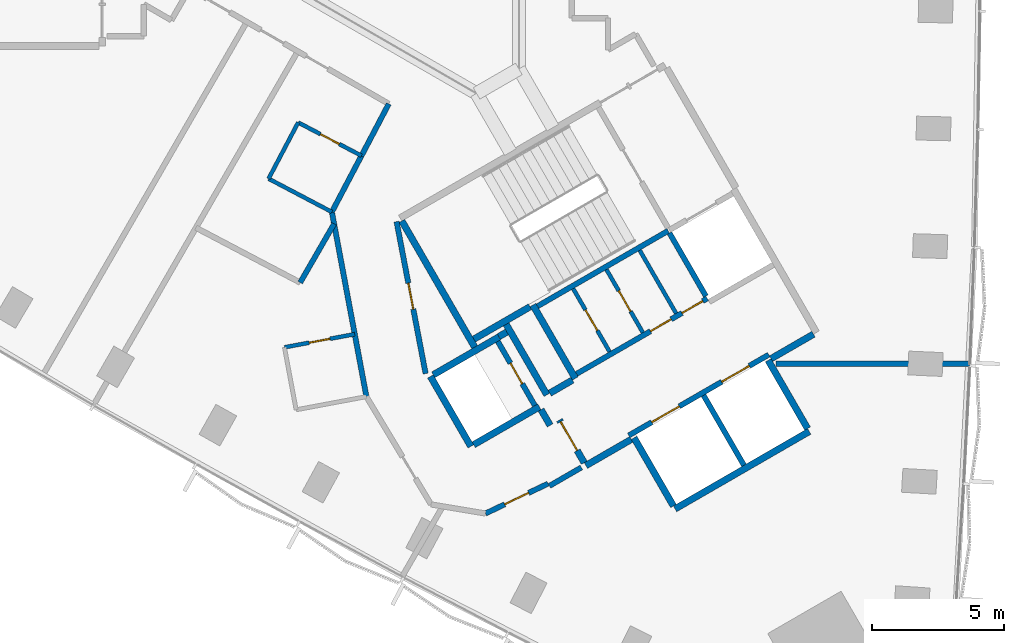
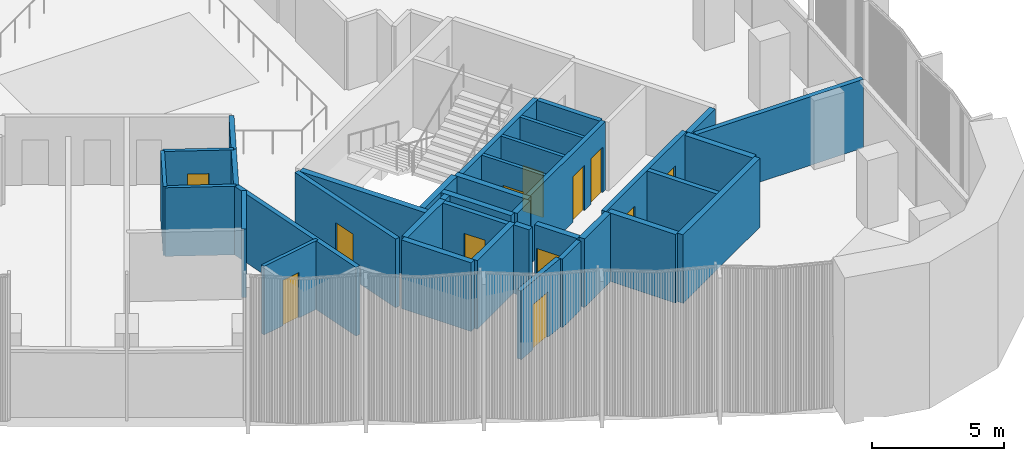
# One storey, part 8 of 15: 37 walls, 12 doors, 12 openings.
"""IFC4 building model written with IfcOpenShell, lengths in metres."""

import ifcopenshell
import ifcopenshell.guid

model = None  # the IFC model being written
_history = None  # IfcOwnerHistory: only IFC2X3 demands one
_inside = {}  # id of a spatial element -> (the spatial element, [elements in it])
_under = {}  # id of a project, library or spatial element -> (it, [spatial elements below it])
_declared = {}  # id of a project -> (the project, [libraries it declares])
_typed = {}  # id of a type object -> (the type object, [elements of that type])
_made_of = {}  # id of a material, layer set ... -> (it, [elements and type objects made of it])


def new_model(schema):
    """Start an empty IFC model of exactly this schema.

    Asked for "IFC4X3", IfcOpenShell would pick the latest addendum, in which some entities
    have other attributes; the version numbers below select the first issue.
    IFC2X3 requires an IfcOwnerHistory on every rooted entity: one is made here for all.
    """
    global model, _history
    if schema == "IFC4X3":
        model = ifcopenshell.file(schema_version=(4, 3, 0, 0))
    else:
        model = ifcopenshell.file(schema=schema)
    _inside.clear()
    _under.clear()
    _declared.clear()
    _typed.clear()
    _made_of.clear()
    _history = None
    if model.schema == "IFC2X3":
        org = make("IfcOrganization", Name="unknown")
        user = make(
            "IfcPersonAndOrganization",
            ThePerson=make("IfcPerson", FamilyName="unknown"),
            TheOrganization=org,
        )
        app = make(
            "IfcApplication",
            ApplicationDeveloper=org,
            Version="unknown",
            ApplicationFullName="unknown",
            ApplicationIdentifier="unknown",
        )
        _history = make(
            "IfcOwnerHistory",
            OwningUser=user,
            OwningApplication=app,
            ChangeAction="ADDED",
            CreationDate=0,
        )
    return model


def make(cls, **values):
    """One entity of the class cls with the attributes given. An attribute that is None is left unset."""
    return model.create_entity(
        cls, **{name: value for name, value in values.items() if value is not None}
    )


def rooted(cls, **values):
    """An entity with a GlobalId (a new one), such as an element, a storey or a relation."""
    return make(cls, GlobalId=ifcopenshell.guid.new(), OwnerHistory=_history, **values)


def si_unit(unit_type, name, prefix=None):
    """IfcSIUnit, for example si_unit("LENGTHUNIT", "METRE", prefix="MILLI")."""
    return make("IfcSIUnit", UnitType=unit_type, Prefix=prefix, Name=name)


def assignment(units):
    """IfcUnitAssignment: the units of a project."""
    return None if units is None else make("IfcUnitAssignment", Units=units)


def point(xyz):
    """IfcCartesianPoint."""
    return None if xyz is None else make("IfcCartesianPoint", Coordinates=xyz)


def direction(xyz):
    """IfcDirection."""
    return None if xyz is None else make("IfcDirection", DirectionRatios=xyz)


def frame(location, z_axis=None, x_axis=None):
    """IfcAxis2Placement3D, a coordinate frame: its origin and axes. An axis left out is left unset."""
    return make(
        "IfcAxis2Placement3D",
        Location=point(location),
        Axis=direction(z_axis),
        RefDirection=direction(x_axis),
    )


def frame_2d(location, x_axis=None):
    """IfcAxis2Placement2D, a coordinate frame in the plane: its origin and x axis."""
    return make(
        "IfcAxis2Placement2D", Location=point(location), RefDirection=direction(x_axis)
    )


def origin():
    """The frame at (0, 0, 0) with its axes left unset."""
    return frame((0.0, 0.0, 0.0))


def place(relative_to, where):
    """IfcLocalPlacement: puts the frame where relative to a parent placement (None: the world)."""
    return make(
        "IfcLocalPlacement", PlacementRelTo=relative_to, RelativePlacement=where
    )


def context(
    kind, dimensions, precision=None, world=None, true_north=None, identifier=None
):
    """IfcGeometricRepresentationContext, for example the 3D "Model" context."""
    return make(
        "IfcGeometricRepresentationContext",
        ContextIdentifier=identifier,
        ContextType=kind,
        CoordinateSpaceDimension=dimensions,
        Precision=precision,
        WorldCoordinateSystem=world,
        TrueNorth=true_north,
    )


def subcontext(parent, identifier, kind, view, scale=None):
    """IfcGeometricRepresentationSubContext, for example "Body" below "Model"."""
    return make(
        "IfcGeometricRepresentationSubContext",
        ContextIdentifier=identifier,
        ContextType=kind,
        ParentContext=parent,
        TargetScale=scale,
        TargetView=view,
    )


def project(units=None, contexts=None):
    """IfcProject with its units and contexts."""
    return rooted(
        "IfcProject",
        Name="project",
        RepresentationContexts=contexts,
        UnitsInContext=assignment(units),
    )


def spatial(cls, under=None, at=None, **own):
    """A site, building, storey or space (cls), placed at a placement, below another one or the project."""
    s = rooted(cls, ObjectPlacement=at, **own)
    if under is not None:
        _under.setdefault(under.id(), (under, []))[1].append(s)
    return s


def profile(cls, at=None, kind="AREA", **sizes):
    """A parametric profile (cls). Its sizes go by their IFC names, for example OverallWidth=200.0."""
    return make(cls, ProfileType=kind, Position=at, **sizes)


def rectangle(**sizes):
    """IfcRectangleProfileDef."""
    return profile("IfcRectangleProfileDef", **sizes)


def extrude(swept, where, along, depth):
    """IfcExtrudedAreaSolid: the profile swept, set in the frame where, extruded along a direction by depth."""
    return make(
        "IfcExtrudedAreaSolid",
        SweptArea=swept,
        Position=where,
        ExtrudedDirection=direction(along),
        Depth=depth,
    )


def shape(context_of_items, identifier, shape_type, items):
    """IfcShapeRepresentation: the items that make up one representation, for example the "Body"."""
    return make(
        "IfcShapeRepresentation",
        ContextOfItems=context_of_items,
        RepresentationIdentifier=identifier,
        RepresentationType=shape_type,
        Items=items,
    )


def material(Name=None, Category=None):
    """IfcMaterial."""
    return make("IfcMaterial", Name=Name, Category=Category)


def layer(
    of_material, thickness, ventilated=None, Name=None, Category=None, Priority=None
):
    """IfcMaterialLayer: one layer of a wall or slab, of a material (None: an air gap)."""
    return make(
        "IfcMaterialLayer",
        Material=of_material,
        LayerThickness=thickness,
        IsVentilated=ventilated,
        Name=Name,
        Category=Category,
        Priority=Priority,
    )


def layer_set(layers, Name=None):
    """IfcMaterialLayerSet."""
    return make("IfcMaterialLayerSet", MaterialLayers=layers, LayerSetName=Name)


def made_of(thing, what):
    """Note that an element or type object is made of a material, layer set ...; save() writes the relation."""
    if what is not None:
        _made_of.setdefault(what.id(), (what, []))[1].append(thing)
    return thing


def type_object(cls, material=None, **own):
    """A type object (cls), such as IfcWallType, which elements share."""
    return made_of(rooted(cls, **own), material)


def element(
    cls,
    number,
    at=None,
    inside=None,
    cuts=None,
    type_object=None,
    material=None,
    context=None,
    identifier="Body",
    shape_type=None,
    held_by="IfcProductDefinitionShape",
    body=None,
    shapes=None,
    **own,
):
    """One element of the class cls, such as IfcWall. Its Tag is "e" and its number.

    at: its placement. inside: the storey or other place that contains it. cuts: it is an
    opening in that element (IfcRelVoidsElement). A single representation is given by context,
    identifier, shape_type and body (its items); several are given by shapes. held_by: the class
    of the entity that holds the representations. save() writes the other relations.
    """
    e = rooted(cls, Tag="e%d" % number, ObjectPlacement=at, **own)
    if body is not None:
        shapes = [shape(context, identifier, shape_type, body)]
    if shapes is not None:
        e.Representation = make(held_by, Representations=shapes)
    if inside is not None:
        _inside.setdefault(inside.id(), (inside, []))[1].append(e)
    if cuts is not None:
        rooted(
            "IfcRelVoidsElement", RelatingBuildingElement=cuts, RelatedOpeningElement=e
        )
    if type_object is not None:
        _typed.setdefault(type_object.id(), (type_object, []))[1].append(e)
    return made_of(e, material)


def fill(opening, filler):
    """IfcRelFillsElement: the door or window that sits in an opening."""
    return rooted(
        "IfcRelFillsElement",
        RelatingOpeningElement=opening,
        RelatedBuildingElement=filler,
    )


def aggregate(whole, parts):
    """IfcRelAggregates: a whole, such as a stair, and the parts it consists of."""
    return rooted("IfcRelAggregates", RelatingObject=whole, RelatedObjects=parts)


def save(model, path):
    """Write the relations noted so far, then the file.

    IfcRelAggregates (storeys below a building ...), IfcRelContainedInSpatialStructure (elements
    in a storey), IfcRelDefinesByType, IfcRelAssociatesMaterial and IfcRelDeclares: one each for
    every whole, place, type object, material and project.
    """
    for whole, parts in _under.values():
        aggregate(whole, parts)
    for where, things in _inside.values():
        rooted(
            "IfcRelContainedInSpatialStructure",
            RelatedElements=things,
            RelatingStructure=where,
        )
    for kind, things in _typed.values():
        rooted("IfcRelDefinesByType", RelatedObjects=things, RelatingType=kind)
    for what, things in _made_of.values():
        rooted("IfcRelAssociatesMaterial", RelatedObjects=things, RelatingMaterial=what)
    for by, libraries in _declared.values():
        rooted("IfcRelDeclares", RelatingContext=by, RelatedDefinitions=libraries)
    model.write(path)


model = new_model("IFC4")

# Units and contexts
model_context = context("Model", 3, precision=1e-05, world=origin(), true_north=direction((0.0, 1.0)))
body_context = subcontext(model_context, "Body", "Model", "MODEL_VIEW")
ifc_project = project(units=[si_unit("LENGTHUNIT", "METRE"), si_unit("AREAUNIT", "SQUARE_METRE"), si_unit("VOLUMEUNIT", "CUBIC_METRE"), si_unit("PLANEANGLEUNIT", "RADIAN"), si_unit("MASSUNIT", "GRAM", prefix="KILO")], contexts=[model_context])

# Site, building, storey
site_placement = place(None, origin())
site = spatial("IfcSite", under=ifc_project, at=site_placement, CompositionType="ELEMENT")
building_placement = place(site_placement, origin())
building = spatial("IfcBuilding", under=site, at=building_placement, Name="Tamra Quay Hotel Tower", CompositionType="ELEMENT")
storey_placement = place(building_placement, frame((0.0, 0.0, 79.39990234375)))
storey = spatial("IfcBuildingStorey", under=building, at=storey_placement, Name="L18", CompositionType="ELEMENT", Elevation=79.39990234375)

# Wall, openings, doors
ifc_material_1 = material(Name="Concrete M70", Category="concrete")
ifc_layer_1 = layer(ifc_material_1, 0.199951171875)
ifc_layer_set_1 = layer_set([ifc_layer_1], Name="Concrete M70 core wall 200")
wall_type_1 = type_object("IfcWallType", Name="Concrete M70 core wall 200", PredefinedType="SHEAR", material=ifc_layer_set_1)
wall_1_placement = place(storey_placement, frame((9.052490234375, -20.479736328125, 0.0), z_axis=(0.0, 0.0, 1.0), x_axis=(0.866030299012, 0.499991521122, 0.0)))
wall_1 = element("IfcWall", 1, at=wall_1_placement, inside=storey, type_object=wall_type_1, Name="CW2", PredefinedType="SHEAR", context=body_context, shape_type="SweptSolid", body=[
    extrude(rectangle(XDim=6.10009765625, YDim=0.199951171875, at=frame_2d((3.050048828125, 0.0))), origin(), (0.0, 0.0, 1.0), 3.175048828125),
])
opening_1_placement = place(wall_1_placement, frame((1.0, 0.0, 0.0)))
opening_1 = element("IfcOpeningElement", 2, at=opening_1_placement, cuts=wall_1, Name="Opening LD", PredefinedType="OPENING", context=body_context, shape_type="SweptSolid", body=[
    extrude(rectangle(XDim=1.199951171875, YDim=2.10009765625, at=frame_2d((0.60009765625, 1.050048828125))), frame((0.0, 0.10986328125, 0.0), z_axis=(0.0, -1.0, 0.0), x_axis=(1.0, 0.0, 0.0)), (0.0, 0.0, 1.0), 0.219970703125),
])
opening_2_placement = place(wall_1_placement, frame((4.05029296875, 0.0, 0.0)))
opening_2 = element("IfcOpeningElement", 3, at=opening_2_placement, cuts=wall_1, Name="Opening LD", PredefinedType="OPENING", context=body_context, shape_type="SweptSolid", body=[
    extrude(rectangle(XDim=1.199951171875, YDim=2.10009765625, at=frame_2d((0.60009765625, 1.050048828125))), frame((0.0, 0.10986328125, 0.0), z_axis=(0.0, -1.0, 0.0), x_axis=(1.0, 0.0, 0.0)), (0.0, 0.0, 1.0), 0.219970703125),
])
ifc_material_2 = material(Name="Landing door LD 1200 double door sliding")
door_type_1 = type_object("IfcDoorType", Name="Landing door LD 1200 double door sliding", OperationType="DOUBLE_DOOR_SLIDING", PredefinedType="DOOR", material=ifc_material_2)
door_1_placement = place(opening_1_placement, origin())
door_1 = element("IfcDoor", 4, at=door_1_placement, inside=storey, type_object=door_type_1, Name="LD", OperationType="DOUBLE_DOOR_SLIDING", OverallHeight=2.10009765625, OverallWidth=1.199951171875, PredefinedType="DOOR", context=body_context, shape_type="SweptSolid", body=[
    extrude(rectangle(XDim=1.199951171875, YDim=2.10009765625, at=frame_2d((0.60009765625, 1.050048828125))), frame((0.0, 0.02490234375, 0.0), z_axis=(0.0, -1.0, 0.0), x_axis=(1.0, 0.0, 0.0)), (0.0, 0.0, 1.0), 0.050048828125),
])
fill(opening_1, door_1)
door_2_placement = place(opening_2_placement, origin())
door_2 = element("IfcDoor", 5, at=door_2_placement, inside=storey, type_object=door_type_1, Name="LD", OperationType="DOUBLE_DOOR_SLIDING", OverallHeight=2.10009765625, OverallWidth=1.199951171875, PredefinedType="DOOR", context=body_context, shape_type="SweptSolid", body=[
    extrude(rectangle(XDim=1.199951171875, YDim=2.10009765625, at=frame_2d((0.60009765625, 1.050048828125))), frame((0.0, 0.02490234375, 0.0), z_axis=(0.0, -1.0, 0.0), x_axis=(1.0, 0.0, 0.0)), (0.0, 0.0, 1.0), 0.050048828125),
])
fill(opening_2, door_2)

# Wall
wall_2_placement = place(storey_placement, frame((10.537841796875, -12.751953125, 0.0), z_axis=(0.0, 0.0, 1.0), x_axis=(-0.866038630372, -0.499977090179, 0.0)))
element("IfcWall", 6, at=wall_2_placement, inside=storey, type_object=wall_type_1, Name="CW2", PredefinedType="SHEAR", context=body_context, shape_type="SweptSolid", body=[
    extrude(rectangle(XDim=5.698974609375, YDim=0.199951171875, at=frame_2d((2.849609375, 0.0))), origin(), (0.0, 0.0, 1.0), 3.175048828125),
])

# Wall, openings, doors
wall_3_placement = place(storey_placement, frame((7.0771484375, -18.156005859375, 0.0), z_axis=(0.0, 0.0, 1.0), x_axis=(0.866038630372, 0.499977090179, 0.0)))
wall_3 = element("IfcWall", 7, at=wall_3_placement, inside=storey, type_object=wall_type_1, Name="CW2", PredefinedType="SHEAR", context=body_context, shape_type="SweptSolid", body=[
    extrude(rectangle(XDim=5.698974609375, YDim=0.199951171875, at=frame_2d((2.849609375, 0.0))), origin(), (0.0, 0.0, 1.0), 3.175048828125),
])
opening_3_placement = place(wall_3_placement, frame((3.22412109375, 0.0, 0.0)))
opening_3 = element("IfcOpeningElement", 8, at=opening_3_placement, cuts=wall_3, Name="Opening D2", PredefinedType="OPENING", context=body_context, shape_type="SweptSolid", body=[
    extrude(rectangle(XDim=0.89990234375, YDim=2.10009765625, at=frame_2d((0.449951171875, 1.050048828125))), frame((0.0, 0.10986328125, 0.0), z_axis=(0.0, -1.0, 0.0), x_axis=(1.0, 0.0, 0.0)), (0.0, 0.0, 1.0), 0.219970703125),
])
opening_4_placement = place(wall_3_placement, frame((4.59912109375, 0.0, 0.0)))
opening_4 = element("IfcOpeningElement", 9, at=opening_4_placement, cuts=wall_3, Name="Opening D2", PredefinedType="OPENING", context=body_context, shape_type="SweptSolid", body=[
    extrude(rectangle(XDim=0.89990234375, YDim=2.10009765625, at=frame_2d((0.449951171875, 1.050048828125))), frame((0.0, 0.10986328125, 0.0), z_axis=(0.0, -1.0, 0.0), x_axis=(1.0, 0.0, 0.0)), (0.0, 0.0, 1.0), 0.219970703125),
])
ifc_material_3 = material(Name="Core door D2 900x2100 LH")
door_type_2 = type_object("IfcDoorType", Name="Core door D2 900x2100 LH", OperationType="NOTDEFINED", PredefinedType="DOOR", material=ifc_material_3)
door_3_placement = place(opening_4_placement, origin())
door_3 = element("IfcDoor", 10, at=door_3_placement, inside=storey, type_object=door_type_2, Name="D2", OperationType="SINGLE_SWING_LEFT", OverallHeight=2.10009765625, OverallWidth=0.89990234375, PredefinedType="DOOR", context=body_context, shape_type="SweptSolid", body=[
    extrude(rectangle(XDim=0.89990234375, YDim=2.10009765625, at=frame_2d((0.449951171875, 1.050048828125))), frame((0.0, 0.02490234375, 0.0), z_axis=(0.0, -1.0, 0.0), x_axis=(1.0, 0.0, 0.0)), (0.0, 0.0, 1.0), 0.050048828125),
])
fill(opening_4, door_3)
ifc_material_4 = material(Name="Core door D2 900x2100 RH")
door_type_3 = type_object("IfcDoorType", Name="Core door D2 900x2100 RH", OperationType="NOTDEFINED", PredefinedType="DOOR", material=ifc_material_4)
door_4_placement = place(opening_3_placement, origin())
door_4 = element("IfcDoor", 11, at=door_4_placement, inside=storey, type_object=door_type_3, Name="D2", OperationType="SINGLE_SWING_RIGHT", OverallHeight=2.10009765625, OverallWidth=0.89990234375, PredefinedType="DOOR", context=body_context, shape_type="SweptSolid", body=[
    extrude(rectangle(XDim=0.89990234375, YDim=2.10009765625, at=frame_2d((0.449951171875, 1.050048828125))), frame((0.0, 0.02490234375, 0.0), z_axis=(0.0, -1.0, 0.0), x_axis=(1.0, 0.0, 0.0)), (0.0, 0.0, 1.0), 0.050048828125),
])
fill(opening_3, door_4)

# Wall
wall_4_placement = place(storey_placement, frame((11.87451171875, -18.967041015625, 0.0), z_axis=(0.0, 0.0, 1.0), x_axis=(0.49998131003, -0.866036194175, 0.0)))
element("IfcWall", 12, at=wall_4_placement, inside=storey, type_object=wall_type_1, Name="CW2", PredefinedType="SHEAR", context=body_context, shape_type="SweptSolid", body=[
    extrude(rectangle(XDim=3.0478515625, YDim=0.199951171875, at=frame_2d((1.52392578125, 0.0))), origin(), (0.0, 0.0, 1.0), 3.175048828125),
])

# Wall, opening, door
wall_5_placement = place(storey_placement, frame((5.50341796875, -19.352294921875, 0.0), z_axis=(0.0, 0.0, 1.0), x_axis=(-0.499986818241, 0.866033014143, 0.0)))
wall_5 = element("IfcWall", 13, at=wall_5_placement, inside=storey, type_object=wall_type_1, Name="CW2", PredefinedType="SHEAR", context=body_context, shape_type="SweptSolid", body=[
    extrude(rectangle(XDim=2.7978515625, YDim=0.199951171875, at=frame_2d((1.39892578125, 0.0))), origin(), (0.0, 0.0, 1.0), 3.175048828125),
])
opening_5_placement = place(wall_5_placement, frame((0.948974609375, 0.0, 0.0)))
opening_5 = element("IfcOpeningElement", 14, at=opening_5_placement, cuts=wall_5, Name="Opening D1", PredefinedType="OPENING", context=body_context, shape_type="SweptSolid", body=[
    extrude(rectangle(XDim=0.89990234375, YDim=2.10009765625, at=frame_2d((0.449951171875, 1.050048828125))), frame((0.0, 0.10986328125, 0.0), z_axis=(0.0, -1.0, 0.0), x_axis=(1.0, 0.0, 0.0)), (0.0, 0.0, 1.0), 0.219970703125),
])
ifc_material_5 = material(Name="Core door D1 900x2100 RH")
door_type_4 = type_object("IfcDoorType", Name="Core door D1 900x2100 RH", OperationType="NOTDEFINED", PredefinedType="DOOR", material=ifc_material_5)
door_5_placement = place(opening_5_placement, origin())
door_5 = element("IfcDoor", 15, at=door_5_placement, inside=storey, type_object=door_type_4, Name="D1", OperationType="SINGLE_SWING_RIGHT", OverallHeight=2.10009765625, OverallWidth=0.89990234375, PredefinedType="DOOR", context=body_context, shape_type="SweptSolid", body=[
    extrude(rectangle(XDim=0.89990234375, YDim=2.10009765625, at=frame_2d((0.449951171875, 1.050048828125))), frame((0.0, 0.02490234375, 0.0), z_axis=(0.0, -1.0, 0.0), x_axis=(1.0, 0.0, 0.0)), (0.0, 0.0, 1.0), 0.050048828125),
])
fill(opening_5, door_5)

# Walls
wall_6_placement = place(storey_placement, frame((11.962646484375, -15.219970703125, 0.0), z_axis=(0.0, 0.0, 1.0), x_axis=(-0.500034990121, 0.866005201286, 0.0)))
element("IfcWall", 16, at=wall_6_placement, inside=storey, type_object=wall_type_1, Name="CW2", PredefinedType="SHEAR", context=body_context, shape_type="SweptSolid", body=[
    extrude(rectangle(XDim=2.749755859375, YDim=0.199951171875, at=frame_2d((1.375, 0.0))), origin(), (0.0, 0.0, 1.0), 3.175048828125),
])
ifc_layer_2 = layer(ifc_material_1, 0.25)
ifc_layer_set_2 = layer_set([ifc_layer_2], Name="Concrete M70 core wall 250")
wall_type_2 = type_object("IfcWallType", Name="Concrete M70 core wall 250", PredefinedType="SHEAR", material=ifc_layer_set_2)
wall_7_placement = place(storey_placement, frame((15.86474609375, -20.328369140625, 0.0), z_axis=(0.0, 0.0, 1.0), x_axis=(-0.86602852612, -0.499994591916, 0.0)))
element("IfcWall", 17, at=wall_7_placement, inside=storey, type_object=wall_type_2, Name="CW1", PredefinedType="SHEAR", context=body_context, shape_type="SweptSolid", body=[
    extrude(rectangle(XDim=5.85009765625, YDim=0.25, at=frame_2d((2.925048828125, 0.0))), origin(), (0.0, 0.0, 1.0), 3.175048828125),
])
wall_8_placement = place(storey_placement, frame((3.23486328125, -17.15283203125, 0.0), z_axis=(0.0, 0.0, 1.0), x_axis=(-0.500008851346, 0.866020293397, 0.0)))
element("IfcWall", 18, at=wall_8_placement, inside=storey, type_object=wall_type_2, Name="CW1", PredefinedType="SHEAR", context=body_context, shape_type="SweptSolid", body=[
    extrude(rectangle(XDim=5.509765625, YDim=0.25, at=frame_2d((2.7548828125, 0.0))), origin(), (0.0, 0.0, 1.0), 3.175048828125),
])
wall_9_placement = place(storey_placement, frame((7.030517578125, -18.327392578125, 0.0), z_axis=(0.0, 0.0, 1.0), x_axis=(-0.499971222258, 0.866042017984, 0.0)))
element("IfcWall", 19, at=wall_9_placement, inside=storey, type_object=wall_type_2, Name="CW1", PredefinedType="SHEAR", context=body_context, shape_type="SweptSolid", body=[
    extrude(rectangle(XDim=3.199951171875, YDim=0.25, at=frame_2d((1.60009765625, 0.0))), origin(), (0.0, 0.0, 1.0), 3.175048828125),
])
for number, where, z_axis, x_axis, name in (
    (20, (14.314697265625, -17.643798828125, 0.0), (0.0, 0.0, 1.0), (0.500023226632, -0.866011993467, 0.0), "CW1"),
    (21, (10.73583984375, -23.144775390625, 0.0), (0.0, 0.0, 1.0), (-0.500023226632, 0.866011993467, 0.0), "CW1"),
):
    element("IfcWall", number, at=place(storey_placement, frame(where, z_axis=z_axis, x_axis=x_axis)), inside=storey, type_object=wall_type_2, Name=name, PredefinedType="SHEAR", context=body_context, shape_type="SweptSolid", body=[
        extrude(rectangle(XDim=2.974365234375, YDim=0.25, at=frame_2d((1.4873046875, 0.0))), origin(), (0.0, 0.0, 1.0), 3.175048828125),
    ])
wall_10_placement = place(storey_placement, frame((3.085205078125, -20.893798828125, 0.0), z_axis=(0.0, 0.0, 1.0), x_axis=(-0.499978833458, 0.866037623948, 0.0)))
element("IfcWall", 22, at=wall_10_placement, inside=storey, type_object=wall_type_2, Name="CW1", PredefinedType="SHEAR", context=body_context, shape_type="SweptSolid", body=[
    extrude(rectangle(XDim=3.050048828125, YDim=0.25, at=frame_2d((1.52490234375, 0.0))), origin(), (0.0, 0.0, 1.0), 3.175048828125),
])
wall_11_placement = place(storey_placement, frame((1.6689453125, -18.189697265625, 0.0), z_axis=(0.0, 0.0, 1.0), x_axis=(0.866042235819, 0.499970844928, 0.0)))
element("IfcWall", 23, at=wall_11_placement, inside=storey, type_object=wall_type_2, Name="CW1", PredefinedType="SHEAR", context=body_context, shape_type="SweptSolid", body=[
    extrude(rectangle(XDim=2.864501953125, YDim=0.25, at=frame_2d((1.43212890625, 0.0))), origin(), (0.0, 0.0, 1.0), 3.175048828125),
])
wall_12_placement = place(storey_placement, frame((5.6748046875, -19.39892578125, 0.0), z_axis=(0.0, 0.0, 1.0), x_axis=(-0.866026637627, -0.499997862916, 0.0)))
element("IfcWall", 24, at=wall_12_placement, inside=storey, type_object=wall_type_2, Name="CW1", PredefinedType="SHEAR", context=body_context, shape_type="SweptSolid", body=[
    extrude(rectangle(XDim=2.86474609375, YDim=0.25, at=frame_2d((1.432373046875, 0.0))), origin(), (0.0, 0.0, 1.0), 3.175048828125),
])
wall_13_placement = place(storey_placement, frame((4.414306640625, -16.275634765625, 0.0), z_axis=(0.0, 0.0, 1.0), x_axis=(0.500003324108, -0.866023484601, 0.0)))
element("IfcWall", 25, at=wall_13_placement, inside=storey, type_object=wall_type_2, Name="CW1", PredefinedType="SHEAR", context=body_context, shape_type="SweptSolid", body=[
    extrude(rectangle(XDim=3.0849609375, YDim=0.25, at=frame_2d((1.54248046875, 0.0))), origin(), (0.0, 0.0, 1.0), 3.175048828125),
])
wall_14_placement = place(storey_placement, frame((5.322021484375, -15.618896484375, 0.0), z_axis=(0.0, 0.0, 1.0), x_axis=(-0.866026229868, -0.499998569178, 0.0)))
element("IfcWall", 26, at=wall_14_placement, inside=storey, type_object=wall_type_2, Name="CW1", PredefinedType="SHEAR", context=body_context, shape_type="SweptSolid", body=[
    extrude(rectangle(XDim=2.44921875, YDim=0.25, at=frame_2d((1.224609375, 0.0))), origin(), (0.0, 0.0, 1.0), 3.175048828125),
])
wall_15_placement = place(storey_placement, frame((9.139892578125, -20.63134765625, 0.0), z_axis=(0.0, 0.0, 1.0), x_axis=(-0.866043531843, -0.499968599967, 0.0)))
element("IfcWall", 27, at=wall_15_placement, inside=storey, type_object=wall_type_2, Name="CW1", PredefinedType="SHEAR", context=body_context, shape_type="SweptSolid", body=[
    extrude(rectangle(XDim=1.974853515625, YDim=0.25, at=frame_2d((0.9873046875, 0.0))), origin(), (0.0, 0.0, 1.0), 3.175048828125),
])
wall_16_placement = place(storey_placement, frame((16.024658203125, -16.656494140625, 0.0), z_axis=(0.0, 0.0, 1.0), x_axis=(-0.866016279763, -0.500015802937, 0.0)))
element("IfcWall", 28, at=wall_16_placement, inside=storey, type_object=wall_type_2, Name="CW1", PredefinedType="SHEAR", context=body_context, shape_type="SweptSolid", body=[
    extrude(rectangle(XDim=1.84912109375, YDim=0.25, at=frame_2d((0.924560546875, 0.0))), origin(), (0.0, 0.0, 1.0), 3.175048828125),
])

# Wall, opening, door
wall_17_placement = place(storey_placement, frame((7.3671875, -21.51025390625, 0.0), z_axis=(0.0, 0.0, 1.0), x_axis=(-0.499983108224, 0.866035156036, 0.0)))
wall_17 = element("IfcWall", 29, at=wall_17_placement, inside=storey, type_object=wall_type_2, Name="CW1", PredefinedType="SHEAR", context=body_context, shape_type="SweptSolid", body=[
    extrude(rectangle(XDim=1.86474609375, YDim=0.25, at=frame_2d((0.932373046875, 0.0))), origin(), (0.0, 0.0, 1.0), 3.175048828125),
])
opening_6_placement = place(wall_17_placement, frame((0.53466796875, 0.0, 0.0)))
opening_6 = element("IfcOpeningElement", 30, at=opening_6_placement, cuts=wall_17, Name="Opening FD3", PredefinedType="OPENING", context=body_context, shape_type="SweptSolid", body=[
    extrude(rectangle(XDim=1.25, YDim=2.10009765625, at=frame_2d((0.625, 1.050048828125))), frame((0.0, 0.135009765625, 0.0), z_axis=(0.0, -1.0, 0.0), x_axis=(1.0, 0.0, 0.0)), (0.0, 0.0, 1.0), 0.27001953125),
])
ifc_material_6 = material(Name="Core door FD3 1250x2100 LH")
door_type_5 = type_object("IfcDoorType", Name="Core door FD3 1250x2100 LH", OperationType="NOTDEFINED", PredefinedType="DOOR", material=ifc_material_6)
door_6_placement = place(opening_6_placement, origin())
door_6 = element("IfcDoor", 31, at=door_6_placement, inside=storey, type_object=door_type_5, Name="FD3", OperationType="SINGLE_SWING_LEFT", OverallHeight=2.10009765625, OverallWidth=1.25, PredefinedType="DOOR", context=body_context, shape_type="SweptSolid", body=[
    extrude(rectangle(XDim=1.25, YDim=2.10009765625, at=frame_2d((0.625, 1.050048828125))), frame((0.0, 0.02490234375, 0.0), z_axis=(0.0, -1.0, 0.0), x_axis=(1.0, 0.0, 0.0)), (0.0, 0.0, 1.0), 0.050048828125),
])
fill(opening_6, door_6)

# Walls
wall_18_placement = place(storey_placement, frame((6.0654296875, -18.884765625, 0.0), z_axis=(0.0, 0.0, 1.0), x_axis=(0.866017078145, 0.500014420154, 0.0)))
element("IfcWall", 32, at=wall_18_placement, inside=storey, type_object=wall_type_2, Name="CW1", PredefinedType="SHEAR", context=body_context, shape_type="SweptSolid", body=[
    extrude(rectangle(XDim=0.9892578125, YDim=0.25, at=frame_2d((0.49462890625, 0.0))), origin(), (0.0, 0.0, 1.0), 3.175048828125),
])
wall_19_placement = place(storey_placement, frame((6.07958984375, -20.100341796875, 0.0), z_axis=(0.0, 0.0, 1.0), x_axis=(-0.500051773299, 0.865995510393, 0.0)))
element("IfcWall", 33, at=wall_19_placement, inside=storey, type_object=wall_type_2, Name="CW1", PredefinedType="SHEAR", context=body_context, shape_type="SweptSolid", body=[
    extrude(rectangle(XDim=0.6845703125, YDim=0.25, at=frame_2d((0.34228515625, 0.0))), origin(), (0.0, 0.0, 1.0), 3.175048828125),
])
wall_20_placement = place(storey_placement, frame((4.144775390625, -16.748779296875, 0.0), z_axis=(0.0, 0.0, 1.0), x_axis=(0.866185586049, 0.49972245349, 0.0)))
element("IfcWall", 34, at=wall_20_placement, inside=storey, type_object=wall_type_2, Name="CW1", PredefinedType="SHEAR", context=body_context, shape_type="SweptSolid", body=[
    extrude(rectangle(XDim=0.344482421875, YDim=0.25, at=frame_2d((0.17236328125, 0.0))), origin(), (0.0, 0.0, 1.0), 3.175048828125),
])

# Wall, opening, door
ifc_material_7 = material(Name="Blockwork", Category="masonry")
ifc_layer_3 = layer(ifc_material_7, 0.14990234375)
ifc_layer_set_3 = layer_set([ifc_layer_3], Name="Core partition block 150")
wall_type_3 = type_object("IfcWallType", Name="Core partition block 150", PredefinedType="PARTITIONING", material=ifc_layer_set_3)
wall_21_placement = place(storey_placement, frame((8.20654296875, -14.214111328125, 0.0), z_axis=(0.0, 0.0, 1.0), x_axis=(0.50002746344, -0.86600954718, 0.0)))
wall_21 = element("IfcWall", 35, at=wall_21_placement, inside=storey, type_object=wall_type_3, Name="CP1", PredefinedType="PARTITIONING", context=body_context, shape_type="SweptSolid", body=[
    extrude(rectangle(XDim=2.748291015625, YDim=0.14990234375, at=frame_2d((1.3740234375, 0.0))), origin(), (0.0, 0.0, 1.0), 3.175048828125),
])
opening_7_placement = place(wall_21_placement, frame((0.92431640625, 0.0, 0.0)))
opening_7 = element("IfcOpeningElement", 36, at=opening_7_placement, cuts=wall_21, Name="Opening D2", PredefinedType="OPENING", context=body_context, shape_type="SweptSolid", body=[
    extrude(rectangle(XDim=0.89990234375, YDim=2.10009765625, at=frame_2d((0.449951171875, 1.050048828125))), frame((0.0, 0.0849609375, 0.0), z_axis=(0.0, -1.0, 0.0), x_axis=(1.0, 0.0, 0.0)), (0.0, 0.0, 1.0), 0.169921875),
])
door_7_placement = place(opening_7_placement, origin())
door_7 = element("IfcDoor", 37, at=door_7_placement, inside=storey, type_object=door_type_2, Name="D2", OperationType="SINGLE_SWING_LEFT", OverallHeight=2.10009765625, OverallWidth=0.89990234375, PredefinedType="DOOR", context=body_context, shape_type="SweptSolid", body=[
    extrude(rectangle(XDim=0.89990234375, YDim=2.10009765625, at=frame_2d((0.449951171875, 1.050048828125))), frame((0.0, 0.02490234375, 0.0), z_axis=(0.0, -1.0, 0.0), x_axis=(1.0, 0.0, 0.0)), (0.0, 0.0, 1.0), 0.050048828125),
])
fill(opening_7, door_7)

# Wall
wall_22_placement = place(storey_placement, frame((9.46240234375, -13.489013671875, 0.0), z_axis=(0.0, 0.0, 1.0), x_axis=(0.499988999718, -0.866031754707, 0.0)))
element("IfcWall", 38, at=wall_22_placement, inside=storey, type_object=wall_type_3, Name="CP1", PredefinedType="PARTITIONING", context=body_context, shape_type="SweptSolid", body=[
    extrude(rectangle(XDim=2.74853515625, YDim=0.14990234375, at=frame_2d((1.374267578125, 0.0))), origin(), (0.0, 0.0, 1.0), 3.175048828125),
])

# Wall, opening, door
wall_23_placement = place(storey_placement, frame((6.950927734375, -14.93896484375, 0.0), z_axis=(0.0, 0.0, 1.0), x_axis=(0.499988999718, -0.866031754707, 0.0)))
wall_23 = element("IfcWall", 39, at=wall_23_placement, inside=storey, type_object=wall_type_3, Name="CP1", PredefinedType="PARTITIONING", context=body_context, shape_type="SweptSolid", body=[
    extrude(rectangle(XDim=2.74853515625, YDim=0.14990234375, at=frame_2d((1.374267578125, 0.0))), origin(), (0.0, 0.0, 1.0), 3.175048828125),
])
opening_8_placement = place(wall_23_placement, frame((0.92431640625, 0.0, 0.0)))
opening_8 = element("IfcOpeningElement", 40, at=opening_8_placement, cuts=wall_23, Name="Opening D2", PredefinedType="OPENING", context=body_context, shape_type="SweptSolid", body=[
    extrude(rectangle(XDim=0.89990234375, YDim=2.10009765625, at=frame_2d((0.449951171875, 1.050048828125))), frame((0.0, 0.0849609375, 0.0), z_axis=(0.0, -1.0, 0.0), x_axis=(1.0, 0.0, 0.0)), (0.0, 0.0, 1.0), 0.169921875),
])
door_8_placement = place(opening_8_placement, origin())
door_8 = element("IfcDoor", 41, at=door_8_placement, inside=storey, type_object=door_type_3, Name="D2", OperationType="SINGLE_SWING_RIGHT", OverallHeight=2.10009765625, OverallWidth=0.89990234375, PredefinedType="DOOR", context=body_context, shape_type="SweptSolid", body=[
    extrude(rectangle(XDim=0.89990234375, YDim=2.10009765625, at=frame_2d((0.449951171875, 1.050048828125))), frame((0.0, 0.02490234375, 0.0), z_axis=(0.0, -1.0, 0.0), x_axis=(1.0, 0.0, 0.0)), (0.0, 0.0, 1.0), 0.050048828125),
])
fill(opening_8, door_8)

# Walls
ifc_material_8 = material(Name="Partition corridor wall")
ifc_layer_4 = layer(ifc_material_8, 0.199951171875)
ifc_layer_set_4 = layer_set([ifc_layer_4], Name="Partition corridor wall")
wall_type_4 = type_object("IfcWallType", Name="Partition corridor wall", PredefinedType="PARTITIONING", material=ifc_layer_set_4)
wall_24_placement = place(storey_placement, frame((-2.162109375, -12.0419921875, 0.0), z_axis=(0.0, 0.0, 1.0), x_axis=(0.183916574427, -0.982941856699, 0.0)))
element("IfcWall", 42, at=wall_24_placement, inside=storey, type_object=wall_type_4, Name="W-C", PredefinedType="PARTITIONING", context=body_context, shape_type="SweptSolid", body=[
    extrude(rectangle(XDim=7.093994140625, YDim=0.199951171875, at=frame_2d((3.546875, 0.0))), origin(), (0.0, 0.0, 1.0), 3.175048828125),
])
wall_25_placement = place(storey_placement, frame((-2.162109375, -12.041015625, 0.0), z_axis=(0.0, 0.0, 1.0), x_axis=(0.465704706438, 0.884940182386, 0.0)))
element("IfcWall", 43, at=wall_25_placement, inside=storey, type_object=wall_type_4, Name="W-C", PredefinedType="PARTITIONING", context=body_context, shape_type="SweptSolid", body=[
    extrude(rectangle(XDim=2.41162109375, YDim=0.199951171875, at=frame_2d((1.205810546875, 0.0))), origin(), (0.0, 0.0, 1.0), 3.175048828125),
])
wall_26_placement = place(storey_placement, frame((-1.050048828125, -9.928955078125, 0.0), z_axis=(0.0, 0.0, 1.0), x_axis=(0.465502300996, 0.885046669825, 0.0)))
element("IfcWall", 44, at=wall_26_placement, inside=storey, type_object=wall_type_4, Name="W-C", PredefinedType="PARTITIONING", context=body_context, shape_type="SweptSolid", body=[
    extrude(rectangle(XDim=2.225830078125, YDim=0.199951171875, at=frame_2d((1.11279296875, 0.0))), origin(), (0.0, 0.0, 1.0), 3.175048828125),
])

# Wall, opening, door
wall_27_placement = place(storey_placement, frame((0.28076171875, -12.40625, 0.0), z_axis=(0.0, 0.0, 1.0), x_axis=(0.187814940093, -0.982204433037, 0.0)))
wall_27 = element("IfcWall", 45, at=wall_27_placement, inside=storey, type_object=wall_type_4, Name="W-C", PredefinedType="PARTITIONING", context=body_context, shape_type="SweptSolid", body=[
    extrude(rectangle(XDim=5.841796875, YDim=0.199951171875, at=frame_2d((2.9208984375, 0.0))), origin(), (0.0, 0.0, 1.0), 3.175048828125),
])
opening_9_placement = place(wall_27_placement, frame((2.36328125, 0.0, 0.0)))
opening_9 = element("IfcOpeningElement", 46, at=opening_9_placement, cuts=wall_27, Name="Opening L18-D016", PredefinedType="OPENING", context=body_context, shape_type="SweptSolid", body=[
    extrude(rectangle(XDim=1.0, YDim=2.10009765625, at=frame_2d((0.5, 1.050048828125))), frame((0.0, 0.10986328125, 0.0), z_axis=(0.0, -1.0, 0.0), x_axis=(1.0, 0.0, 0.0)), (0.0, 0.0, 1.0), 0.219970703125),
])
ifc_material_9 = material(Name="Door guest room 1000x2100")
door_type_6 = type_object("IfcDoorType", Name="Door guest room 1000x2100", OperationType="NOTDEFINED", PredefinedType="DOOR", material=ifc_material_9)
door_9_placement = place(opening_9_placement, origin())
door_9 = element("IfcDoor", 47, at=door_9_placement, inside=storey, type_object=door_type_6, Name="L18-D016", OperationType="SINGLE_SWING_LEFT", OverallHeight=2.10009765625, OverallWidth=1.0, PredefinedType="DOOR", context=body_context, shape_type="SweptSolid", body=[
    extrude(rectangle(XDim=1.0, YDim=2.10009765625, at=frame_2d((0.5, 1.050048828125))), frame((0.0, 0.02490234375, 0.0), z_axis=(0.0, -1.0, 0.0), x_axis=(1.0, 0.0, 0.0)), (0.0, 0.0, 1.0), 0.050048828125),
])
fill(opening_9, door_9)

wall_28_placement = place(storey_placement, frame((3.64306640625, -23.426025390625, 0.0), z_axis=(0.0, 0.0, 1.0), x_axis=(0.902344142508, 0.431016297233, 0.0)))
wall_28 = element("IfcWall", 48, at=wall_28_placement, inside=storey, type_object=wall_type_4, Name="W-C", PredefinedType="PARTITIONING", context=body_context, shape_type="SweptSolid", body=[
    extrude(rectangle(XDim=2.616455078125, YDim=0.199951171875, at=frame_2d((1.30810546875, 0.0))), origin(), (0.0, 0.0, 1.0), 3.175048828125),
])
opening_10_placement = place(wall_28_placement, frame((0.800048828125, 0.0, 0.0)))
opening_10 = element("IfcOpeningElement", 49, at=opening_10_placement, cuts=wall_28, Name="Opening L18-D019", PredefinedType="OPENING", context=body_context, shape_type="SweptSolid", body=[
    extrude(rectangle(XDim=1.0, YDim=2.10009765625, at=frame_2d((0.5, 1.050048828125))), frame((0.0, 0.10986328125, 0.0), z_axis=(0.0, -1.0, 0.0), x_axis=(1.0, 0.0, 0.0)), (0.0, 0.0, 1.0), 0.219970703125),
])
door_10_placement = place(opening_10_placement, frame((1.0, 0.0, 0.0), z_axis=(0.0, 0.0, 1.0), x_axis=(-1.0, 0.0, 0.0)))
door_10 = element("IfcDoor", 50, at=door_10_placement, inside=storey, type_object=door_type_6, Name="L18-D019", OperationType="SINGLE_SWING_LEFT", OverallHeight=2.10009765625, OverallWidth=1.0, PredefinedType="DOOR", context=body_context, shape_type="SweptSolid", body=[
    extrude(rectangle(XDim=1.0, YDim=2.10009765625, at=frame_2d((0.5, 1.050048828125))), frame((0.0, 0.02490234375, 0.0), z_axis=(0.0, -1.0, 0.0), x_axis=(1.0, 0.0, 0.0)), (0.0, 0.0, 1.0), 0.050048828125),
])
fill(opening_10, door_10)

# Walls
wall_29_placement = place(storey_placement, frame((6.053955078125, -22.385009765625, 0.0), z_axis=(0.0, 0.0, 1.0), x_axis=(0.86593101922, 0.500163443238, 0.0)))
element("IfcWall", 51, at=wall_29_placement, inside=storey, type_object=wall_type_4, Name="W-C", PredefinedType="PARTITIONING", context=body_context, shape_type="SweptSolid", body=[
    extrude(rectangle(XDim=1.3896484375, YDim=0.199951171875, at=frame_2d((0.69482421875, 0.0))), origin(), (0.0, 0.0, 1.0), 3.175048828125),
])
ifc_material_10 = material(Name="Partition en-suite wall")
ifc_layer_5 = layer(ifc_material_10, 0.14990234375)
ifc_layer_set_5 = layer_set([ifc_layer_5], Name="Partition en-suite wall")
wall_type_5 = type_object("IfcWallType", Name="Partition en-suite wall", PredefinedType="PARTITIONING", material=ifc_layer_set_5)
wall_30_placement = place(storey_placement, frame((-4.552001953125, -10.784912109375, 0.0), z_axis=(0.0, 0.0, 1.0), x_axis=(0.465750624965, 0.884916015984, 0.0)))
element("IfcWall", 52, at=wall_30_placement, inside=storey, type_object=wall_type_5, Name="W-E", PredefinedType="PARTITIONING", context=body_context, shape_type="SweptSolid", body=[
    extrude(rectangle(XDim=2.400146484375, YDim=0.14990234375, at=frame_2d((1.2001953125, 0.0))), origin(), (0.0, 0.0, 1.0), 3.175048828125),
])
wall_31_placement = place(storey_placement, frame((-4.552001953125, -10.784912109375, 0.0), z_axis=(0.0, 0.0, 1.0), x_axis=(0.885033905544, -0.465526568562, 0.0)))
element("IfcWall", 53, at=wall_31_placement, inside=storey, type_object=wall_type_5, Name="W-E", PredefinedType="PARTITIONING", context=body_context, shape_type="SweptSolid", body=[
    extrude(rectangle(XDim=2.700439453125, YDim=0.14990234375, at=frame_2d((1.35009765625, 0.0))), origin(), (0.0, 0.0, 1.0), 3.175048828125),
])

# Wall, opening, door
wall_32_placement = place(storey_placement, frame((-3.950927734375, -17.152099609375, 0.0), z_axis=(0.0, 0.0, 1.0), x_axis=(0.982935667801, 0.183949647907, 0.0)))
wall_32 = element("IfcWall", 54, at=wall_32_placement, inside=storey, type_object=wall_type_5, Name="W-E", PredefinedType="PARTITIONING", context=body_context, shape_type="SweptSolid", body=[
    extrude(rectangle(XDim=2.697021484375, YDim=0.14990234375, at=frame_2d((1.3486328125, 0.0))), origin(), (0.0, 0.0, 1.0), 3.175048828125),
])
opening_11_placement = place(wall_32_placement, frame((0.947998046875, 0.0, 0.0)))
opening_11 = element("IfcOpeningElement", 55, at=opening_11_placement, cuts=wall_32, Name="Opening L18-D018", PredefinedType="OPENING", context=body_context, shape_type="SweptSolid", body=[
    extrude(rectangle(XDim=0.800048828125, YDim=2.10009765625, at=frame_2d((0.39990234375, 1.050048828125))), frame((0.0, 0.0849609375, 0.0), z_axis=(0.0, -1.0, 0.0), x_axis=(1.0, 0.0, 0.0)), (0.0, 0.0, 1.0), 0.169921875),
])
ifc_material_11 = material(Name="Door en-suite 800x2100")
door_type_7 = type_object("IfcDoorType", Name="Door en-suite 800x2100", OperationType="NOTDEFINED", PredefinedType="DOOR", material=ifc_material_11)
door_11_placement = place(opening_11_placement, frame((0.800048828125, 0.0, 0.0), z_axis=(0.0, 0.0, 1.0), x_axis=(-1.0, 0.0, 0.0)))
door_11 = element("IfcDoor", 56, at=door_11_placement, inside=storey, type_object=door_type_7, Name="L18-D018", OperationType="SINGLE_SWING_LEFT", OverallHeight=2.10009765625, OverallWidth=0.800048828125, PredefinedType="DOOR", context=body_context, shape_type="SweptSolid", body=[
    extrude(rectangle(XDim=0.800048828125, YDim=2.10009765625, at=frame_2d((0.39990234375, 1.050048828125))), frame((0.0, 0.02490234375, 0.0), z_axis=(0.0, -1.0, 0.0), x_axis=(1.0, 0.0, 0.0)), (0.0, 0.0, 1.0), 0.050048828125),
])
fill(opening_11, door_11)

wall_33_placement = place(storey_placement, frame((-3.43408203125, -8.660888671875, 0.0), z_axis=(0.0, 0.0, 1.0), x_axis=(0.884975104075, -0.465638341599, 0.0)))
wall_33 = element("IfcWall", 57, at=wall_33_placement, inside=storey, type_object=wall_type_5, Name="W-E", PredefinedType="PARTITIONING", context=body_context, shape_type="SweptSolid", body=[
    extrude(rectangle(XDim=2.69970703125, YDim=0.14990234375, at=frame_2d((1.349853515625, 0.0))), origin(), (0.0, 0.0, 1.0), 3.175048828125),
])
opening_12_placement = place(wall_33_placement, frame((0.949951171875, 0.0, 0.0)))
opening_12 = element("IfcOpeningElement", 58, at=opening_12_placement, cuts=wall_33, Name="Opening L18-D015", PredefinedType="OPENING", context=body_context, shape_type="SweptSolid", body=[
    extrude(rectangle(XDim=0.800048828125, YDim=2.10009765625, at=frame_2d((0.39990234375, 1.050048828125))), frame((0.0, 0.0849609375, 0.0), z_axis=(0.0, -1.0, 0.0), x_axis=(1.0, 0.0, 0.0)), (0.0, 0.0, 1.0), 0.169921875),
])
door_12_placement = place(opening_12_placement, frame((0.800048828125, 0.0, 0.0), z_axis=(0.0, 0.0, 1.0), x_axis=(-1.0, 0.0, 0.0)))
door_12 = element("IfcDoor", 59, at=door_12_placement, inside=storey, type_object=door_type_7, Name="L18-D015", OperationType="SINGLE_SWING_LEFT", OverallHeight=2.10009765625, OverallWidth=0.800048828125, PredefinedType="DOOR", context=body_context, shape_type="SweptSolid", body=[
    extrude(rectangle(XDim=0.800048828125, YDim=2.10009765625, at=frame_2d((0.39990234375, 1.050048828125))), frame((0.0, 0.02490234375, 0.0), z_axis=(0.0, -1.0, 0.0), x_axis=(1.0, 0.0, 0.0)), (0.0, 0.0, 1.0), 0.050048828125),
])
fill(opening_12, door_12)

# Walls
ifc_material_12 = material(Name="Partition party wall")
ifc_layer_6 = layer(ifc_material_12, 0.199951171875)
ifc_layer_set_6 = layer_set([ifc_layer_6], Name="Partition party wall")
wall_type_6 = type_object("IfcWallType", Name="Partition party wall", PredefinedType="PARTITIONING", material=ifc_layer_set_6)
wall_34_placement = place(storey_placement, frame((-3.35888671875, -14.70703125, 0.0), z_axis=(0.0, 0.0, 1.0), x_axis=(0.500126728047, 0.865952224948, 0.0)))
element("IfcWall", 60, at=wall_34_placement, inside=storey, type_object=wall_type_6, Name="W-P", PredefinedType="PARTITIONING", context=body_context, shape_type="SweptSolid", body=[
    extrude(rectangle(XDim=2.561279296875, YDim=0.199951171875, at=frame_2d((1.28076171875, 0.0))), origin(), (0.0, 0.0, 1.0), 3.175048828125),
])
wall_35_placement = place(storey_placement, frame((14.60302734375, -17.77294921875, 0.0), z_axis=(0.0, 0.0, 1.0), x_axis=(1.0, 0.0, 0.0)))
element("IfcWall", 61, at=wall_35_placement, inside=storey, type_object=wall_type_6, Name="W-P", PredefinedType="PARTITIONING", context=body_context, shape_type="SweptSolid", body=[
    extrude(rectangle(XDim=7.3203125, YDim=0.199951171875, at=frame_2d((3.66015625, 0.0))), origin(), (0.0, 0.0, 1.0), 3.175048828125),
])

save(model, "model.ifc")
